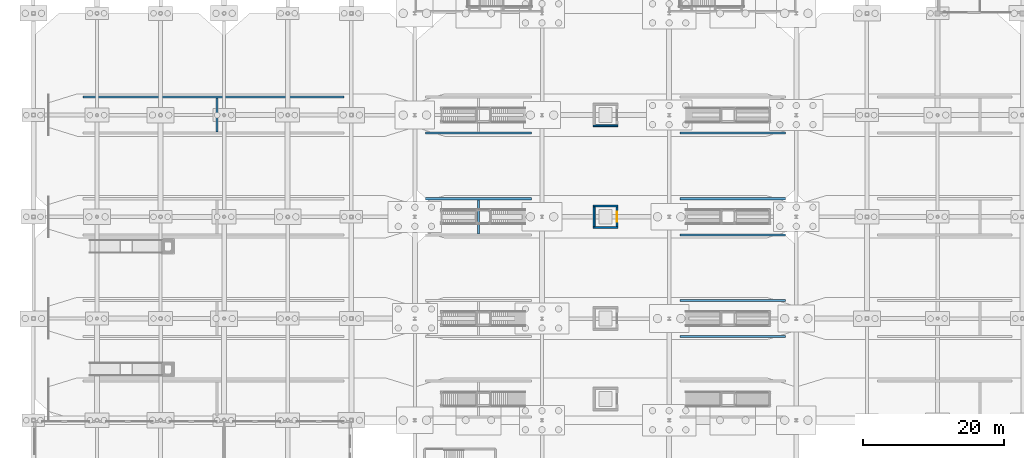
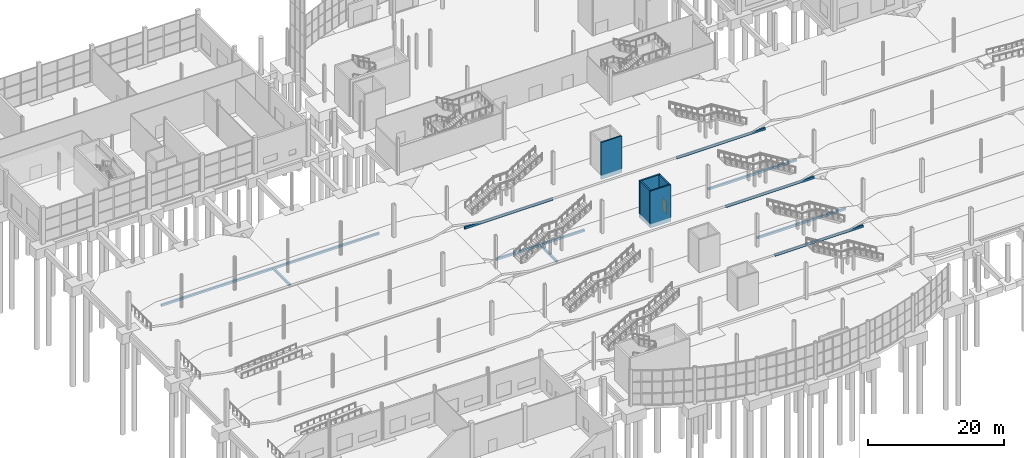
# One storey, part 87 of 115: 15 walls, 1 door, 1 opening.
"""IFC4 building model written with IfcOpenShell, lengths in metres."""

from ifc_helpers import new_model, si_unit, direction, frame, frame_2d, origin, place, context, subcontext, project, spatial, rectangle, extrude, material, layer, layer_set, type_object, element, fill, save


model = new_model("IFC4")

# Units and contexts
model_context = context("Model", 3, precision=1e-05, world=origin(), true_north=direction((0.0, 1.0)))
body_context = subcontext(model_context, "Body", "Model", "MODEL_VIEW")
ifc_project = project(units=[si_unit("LENGTHUNIT", "METRE"), si_unit("AREAUNIT", "SQUARE_METRE"), si_unit("VOLUMEUNIT", "CUBIC_METRE"), si_unit("PLANEANGLEUNIT", "RADIAN"), si_unit("MASSUNIT", "GRAM", prefix="KILO")], contexts=[model_context])

# Site, building, storey
site_placement = place(None, origin())
site = spatial("IfcSite", under=ifc_project, at=site_placement, CompositionType="ELEMENT")
building_placement = place(site_placement, origin())
building = spatial("IfcBuilding", under=site, at=building_placement, Name="Tamarisk Ironworks Central Station", CompositionType="ELEMENT")
storey_placement = place(building_placement, origin())
storey = spatial("IfcBuildingStorey", under=building, at=storey_placement, Name="L00", CompositionType="ELEMENT", Elevation=0.0)

# Walls
ifc_material_1 = material(Name="Concrete C50/60", Category="concrete")
ifc_layer_1 = layer(ifc_material_1, 0.300048828125)
ifc_layer_set_1 = layer_set([ifc_layer_1], Name="Concrete C50/60")
wall_type_1 = type_object("IfcWallType", Name="WL-CW300", PredefinedType="SOLIDWALL", material=ifc_layer_set_1)
for number, where, z_axis, x_axis, name in (
    (1, (91.5, 33.449951171875, 0.0), (0.0, 0.0, 1.0), (1.0, 0.0, 0.0), "Platform P2 M structural plinth wall 019"),
    (2, (91.5, 38.550048828125, 0.0), (0.0, 0.0, 1.0), (1.0, 0.0, 0.0), "Platform P2 M structural plinth wall 020"),
    (3, (55.5, 52.949951171875, 0.0), (0.0, 0.0, 1.0), (1.0, 0.0, 0.0), "Platform P3 M structural plinth wall 031"),
    (4, (91.5, 47.85009765625, 0.0), (0.0, 0.0, 1.0), (1.0, 0.0, 0.0), "Platform P3 M structural plinth wall 032"),
    (5, (91.5, 52.949951171875, 0.0), (0.0, 0.0, 1.0), (1.0, 0.0, 0.0), "Platform P3 M structural plinth wall 033"),
):
    element("IfcWall", number, at=place(storey_placement, frame(where, z_axis=z_axis, x_axis=x_axis)), inside=storey, type_object=wall_type_1, Name=name, PredefinedType="SOLIDWALL", context=body_context, shape_type="SweptSolid", body=[
        extrude(rectangle(XDim=15.0, YDim=0.300048828125, at=frame_2d((7.5, 0.0))), origin(), (0.0, 0.0, 1.0), 0.375),
    ])
wall_1_placement = place(storey_placement, frame((63.0, 48.0, 0.0), z_axis=(0.0, 0.0, 1.0), x_axis=(0.0, 1.0, 0.0)))
element("IfcWall", 6, at=wall_1_placement, inside=storey, type_object=wall_type_1, Name="Platform P3 M transverse diaphragm wall 034", PredefinedType="SOLIDWALL", context=body_context, shape_type="SweptSolid", body=[
    extrude(rectangle(XDim=4.800048828125, YDim=0.300048828125, at=frame_2d((2.39990234375, 0.0))), origin(), (0.0, 0.0, 1.0), 0.375),
])
wall_2_placement = place(storey_placement, frame((7.0, 67.35009765625, 0.0), z_axis=(0.0, 0.0, 1.0), x_axis=(1.0, 0.0, 0.0)))
element("IfcWall", 7, at=wall_2_placement, inside=storey, type_object=wall_type_1, Name="Platform P4 W structural plinth wall 041", PredefinedType="SOLIDWALL", context=body_context, shape_type="SweptSolid", body=[
    extrude(rectangle(XDim=37.0, YDim=0.300048828125, at=frame_2d((18.5, 0.0))), origin(), (0.0, 0.0, 1.0), 0.375),
])
wall_3_placement = place(storey_placement, frame((26.0, 62.39990234375, 0.0), z_axis=(0.0, 0.0, 1.0), x_axis=(0.0, 1.0, 0.0)))
element("IfcWall", 8, at=wall_3_placement, inside=storey, type_object=wall_type_1, Name="Platform P4 W transverse diaphragm wall 042", PredefinedType="SOLIDWALL", context=body_context, shape_type="SweptSolid", body=[
    extrude(rectangle(XDim=4.800048828125, YDim=0.300048828125, at=frame_2d((2.39990234375, 0.0))), origin(), (0.0, 0.0, 1.0), 0.375),
])
for number, where, z_axis, x_axis, name in (
    (9, (55.5, 62.25, 0.0), (0.0, 0.0, 1.0), (1.0, 0.0, 0.0), "Platform P4 M structural plinth wall 043"),
    (10, (91.5, 62.25, 0.0), (0.0, 0.0, 1.0), (1.0, 0.0, 0.0), "Platform P4 M structural plinth wall 045"),
):
    element("IfcWall", number, at=place(storey_placement, frame(where, z_axis=z_axis, x_axis=x_axis)), inside=storey, type_object=wall_type_1, Name=name, PredefinedType="SOLIDWALL", context=body_context, shape_type="SweptSolid", body=[
        extrude(rectangle(XDim=15.0, YDim=0.300048828125, at=frame_2d((7.5, 0.0))), origin(), (0.0, 0.0, 1.0), 0.375),
    ])
ifc_layer_2 = layer(ifc_material_1, 0.25)
ifc_layer_set_2 = layer_set([ifc_layer_2], Name="Concrete C50/60")
wall_type_2 = type_object("IfcWallType", Name="WL-SH250", PredefinedType="SOLIDWALL", material=ifc_layer_set_2)
for number, where, z_axis, x_axis, name in (
    (11, (79.25, 48.875, 0.0), (0.0, 0.0, 1.0), (1.0, 0.0, 0.0), "LF-P3 lift shaft wall S (L00)"),
    (12, (79.25, 51.925048828125, 0.0), (0.0, 0.0, 1.0), (1.0, 0.0, 0.0), "LF-P3 lift shaft wall N (L00)"),
):
    element("IfcWall", number, at=place(storey_placement, frame(where, z_axis=z_axis, x_axis=x_axis)), inside=storey, type_object=wall_type_2, Name=name, PredefinedType="SOLIDWALL", context=body_context, shape_type="SweptSolid", body=[
        extrude(rectangle(XDim=3.5, YDim=0.25, at=frame_2d((1.75, 0.0))), origin(), (0.0, 0.0, 1.0), 6.60009765625),
    ])
wall_4_placement = place(storey_placement, frame((79.375, 49.0, 0.0), z_axis=(0.0, 0.0, 1.0), x_axis=(0.0, 1.0, 0.0)))
element("IfcWall", 13, at=wall_4_placement, inside=storey, type_object=wall_type_2, Name="LF-P3 lift shaft wall W (L00)", PredefinedType="SOLIDWALL", context=body_context, shape_type="SweptSolid", body=[
    extrude(rectangle(XDim=2.800048828125, YDim=0.25, at=frame_2d((1.39990234375, 0.0))), origin(), (0.0, 0.0, 1.0), 6.60009765625),
])

# Wall, opening, door
wall_5_placement = place(storey_placement, frame((82.625, 49.0, 0.0), z_axis=(0.0, 0.0, 1.0), x_axis=(0.0, 1.0, 0.0)))
wall_5 = element("IfcWall", 14, at=wall_5_placement, inside=storey, type_object=wall_type_2, Name="LF-P3 lift shaft wall E (L00)", PredefinedType="SOLIDWALL", context=body_context, shape_type="SweptSolid", body=[
    extrude(rectangle(XDim=2.800048828125, YDim=0.25, at=frame_2d((1.39990234375, 0.0))), origin(), (0.0, 0.0, 1.0), 6.60009765625),
])
opening_placement = place(wall_5_placement, frame((0.699951171875, 0.0, 0.72509765625)))
opening = element("IfcOpeningElement", 15, at=opening_placement, cuts=wall_5, Name="Opening LD01", PredefinedType="OPENING", context=body_context, shape_type="SweptSolid", body=[
    extrude(rectangle(XDim=1.39990234375, YDim=2.25, at=frame_2d((0.699951171875, 1.125))), frame((0.0, 0.136962890625, 0.0), z_axis=(0.0, -1.0, 0.0), x_axis=(1.0, 0.0, 0.0)), (0.0, 0.0, 1.0), 0.27392578125),
])
ifc_material_2 = material(Name="Brushed stainless steel AISI 316", Category="steel")
door_type = type_object("IfcDoorType", Name="DR-LD01", OperationType="NOTDEFINED", PredefinedType="DOOR", material=ifc_material_2)
door_placement = place(opening_placement, origin())
door = element("IfcDoor", 16, at=door_placement, inside=storey, type_object=door_type, Name="LF-P3 sliding lift landing door (L00)", OperationType="SLIDING_TO_LEFT", OverallHeight=2.25, OverallWidth=1.39990234375, PredefinedType="DOOR", context=body_context, shape_type="SweptSolid", body=[
    extrude(rectangle(XDim=1.39990234375, YDim=2.25, at=frame_2d((0.699951171875, 1.125))), frame((0.0, 0.02490234375, 0.0), z_axis=(0.0, -1.0, 0.0), x_axis=(1.0, 0.0, 0.0)), (0.0, 0.0, 1.0), 0.050048828125),
])
fill(opening, door)

# Wall
wall_6_placement = place(storey_placement, frame((79.25, 63.27490234375, 0.0), z_axis=(0.0, 0.0, 1.0), x_axis=(1.0, 0.0, 0.0)))
element("IfcWall", 17, at=wall_6_placement, inside=storey, type_object=wall_type_2, Name="LF-P4 lift shaft wall S (L00)", PredefinedType="SOLIDWALL", context=body_context, shape_type="SweptSolid", body=[
    extrude(rectangle(XDim=3.5, YDim=0.25, at=frame_2d((1.75, 0.0))), origin(), (0.0, 0.0, 1.0), 6.60009765625),
])

save(model, "model.ifc")
